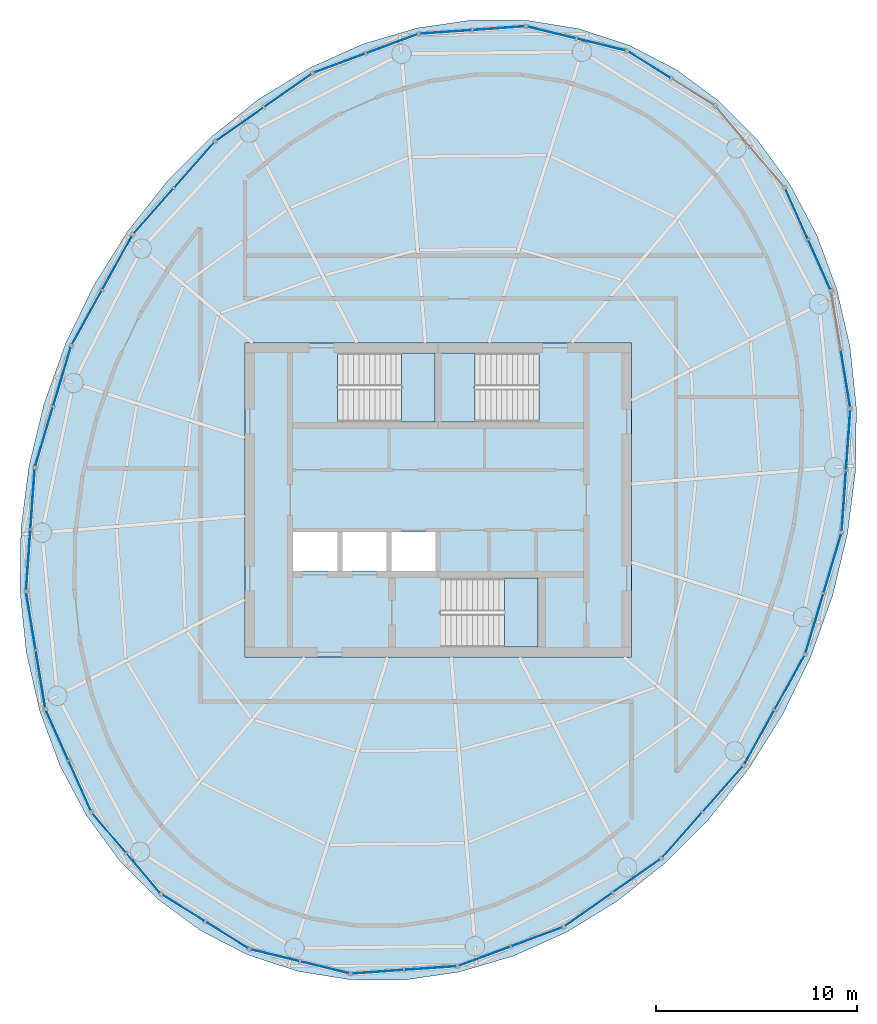
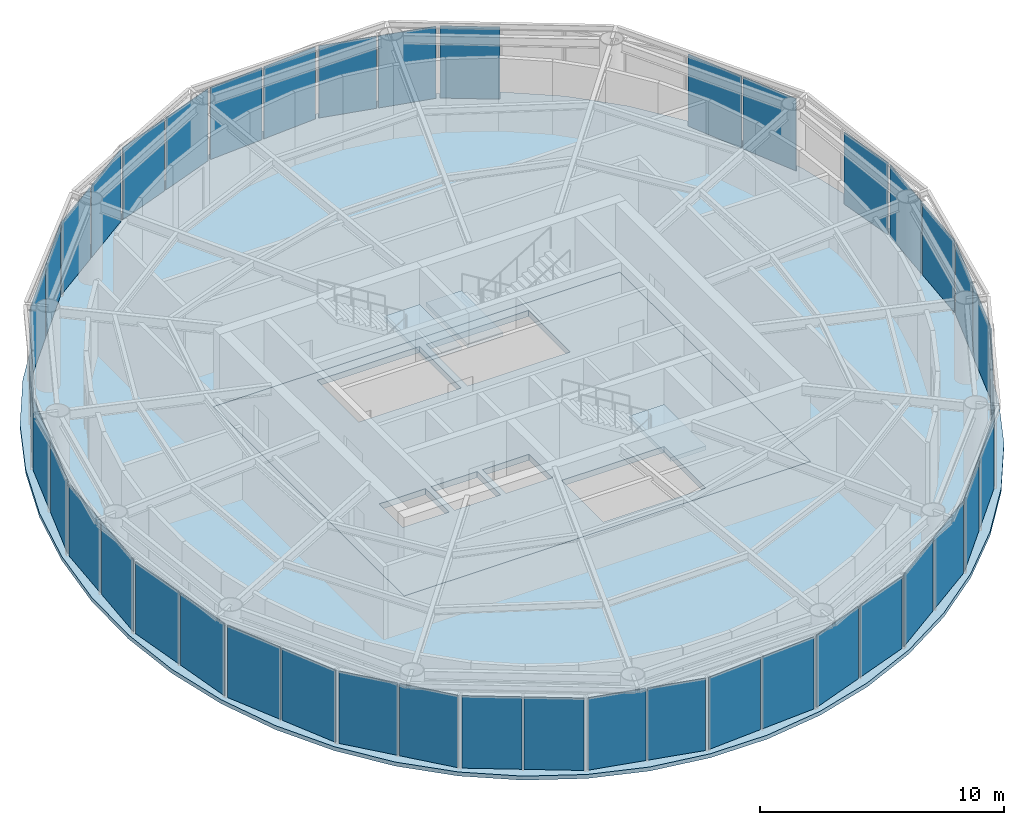
# One storey, part 7 of 11: 44 plates, 5 slabs, 26 elements without a shape of their own.
"""IFC4 building model written with IfcOpenShell, lengths in metres."""

import ifcopenshell
import ifcopenshell.guid

model = None  # the IFC model being written
_history = None  # IfcOwnerHistory: only IFC2X3 demands one
_inside = {}  # id of a spatial element -> (the spatial element, [elements in it])
_under = {}  # id of a project, library or spatial element -> (it, [spatial elements below it])
_declared = {}  # id of a project -> (the project, [libraries it declares])
_typed = {}  # id of a type object -> (the type object, [elements of that type])
_made_of = {}  # id of a material, layer set ... -> (it, [elements and type objects made of it])


def new_model(schema):
    """Start an empty IFC model of exactly this schema.

    Asked for "IFC4X3", IfcOpenShell would pick the latest addendum, in which some entities
    have other attributes; the version numbers below select the first issue.
    IFC2X3 requires an IfcOwnerHistory on every rooted entity: one is made here for all.
    """
    global model, _history
    if schema == "IFC4X3":
        model = ifcopenshell.file(schema_version=(4, 3, 0, 0))
    else:
        model = ifcopenshell.file(schema=schema)
    _inside.clear()
    _under.clear()
    _declared.clear()
    _typed.clear()
    _made_of.clear()
    _history = None
    if model.schema == "IFC2X3":
        org = make("IfcOrganization", Name="unknown")
        user = make(
            "IfcPersonAndOrganization",
            ThePerson=make("IfcPerson", FamilyName="unknown"),
            TheOrganization=org,
        )
        app = make(
            "IfcApplication",
            ApplicationDeveloper=org,
            Version="unknown",
            ApplicationFullName="unknown",
            ApplicationIdentifier="unknown",
        )
        _history = make(
            "IfcOwnerHistory",
            OwningUser=user,
            OwningApplication=app,
            ChangeAction="ADDED",
            CreationDate=0,
        )
    return model


def make(cls, **values):
    """One entity of the class cls with the attributes given. An attribute that is None is left unset."""
    return model.create_entity(
        cls, **{name: value for name, value in values.items() if value is not None}
    )


def rooted(cls, **values):
    """An entity with a GlobalId (a new one), such as an element, a storey or a relation."""
    return make(cls, GlobalId=ifcopenshell.guid.new(), OwnerHistory=_history, **values)


def si_unit(unit_type, name, prefix=None):
    """IfcSIUnit, for example si_unit("LENGTHUNIT", "METRE", prefix="MILLI")."""
    return make("IfcSIUnit", UnitType=unit_type, Prefix=prefix, Name=name)


def assignment(units):
    """IfcUnitAssignment: the units of a project."""
    return None if units is None else make("IfcUnitAssignment", Units=units)


def point(xyz):
    """IfcCartesianPoint."""
    return None if xyz is None else make("IfcCartesianPoint", Coordinates=xyz)


def direction(xyz):
    """IfcDirection."""
    return None if xyz is None else make("IfcDirection", DirectionRatios=xyz)


def frame(location, z_axis=None, x_axis=None):
    """IfcAxis2Placement3D, a coordinate frame: its origin and axes. An axis left out is left unset."""
    return make(
        "IfcAxis2Placement3D",
        Location=point(location),
        Axis=direction(z_axis),
        RefDirection=direction(x_axis),
    )


def frame_2d(location, x_axis=None):
    """IfcAxis2Placement2D, a coordinate frame in the plane: its origin and x axis."""
    return make(
        "IfcAxis2Placement2D", Location=point(location), RefDirection=direction(x_axis)
    )


def origin():
    """The frame at (0, 0, 0) with its axes left unset."""
    return frame((0.0, 0.0, 0.0))


def origin_2d():
    """The frame at (0, 0) in the plane with its x axis left unset."""
    return frame_2d((0.0, 0.0))


def place(relative_to, where):
    """IfcLocalPlacement: puts the frame where relative to a parent placement (None: the world)."""
    return make(
        "IfcLocalPlacement", PlacementRelTo=relative_to, RelativePlacement=where
    )


def context(
    kind, dimensions, precision=None, world=None, true_north=None, identifier=None
):
    """IfcGeometricRepresentationContext, for example the 3D "Model" context."""
    return make(
        "IfcGeometricRepresentationContext",
        ContextIdentifier=identifier,
        ContextType=kind,
        CoordinateSpaceDimension=dimensions,
        Precision=precision,
        WorldCoordinateSystem=world,
        TrueNorth=true_north,
    )


def subcontext(parent, identifier, kind, view, scale=None):
    """IfcGeometricRepresentationSubContext, for example "Body" below "Model"."""
    return make(
        "IfcGeometricRepresentationSubContext",
        ContextIdentifier=identifier,
        ContextType=kind,
        ParentContext=parent,
        TargetScale=scale,
        TargetView=view,
    )


def project(units=None, contexts=None):
    """IfcProject with its units and contexts."""
    return rooted(
        "IfcProject",
        Name="project",
        RepresentationContexts=contexts,
        UnitsInContext=assignment(units),
    )


def spatial(cls, under=None, at=None, **own):
    """A site, building, storey or space (cls), placed at a placement, below another one or the project."""
    s = rooted(cls, ObjectPlacement=at, **own)
    if under is not None:
        _under.setdefault(under.id(), (under, []))[1].append(s)
    return s


def polyline(points):
    """IfcPolyline through the points."""
    return make("IfcPolyline", Points=[point(p) for p in points])


def profile(cls, at=None, kind="AREA", **sizes):
    """A parametric profile (cls). Its sizes go by their IFC names, for example OverallWidth=200.0."""
    return make(cls, ProfileType=kind, Position=at, **sizes)


def rectangle(**sizes):
    """IfcRectangleProfileDef."""
    return profile("IfcRectangleProfileDef", **sizes)


def outline(outer, holes=None, kind="AREA"):
    """IfcArbitraryClosedProfileDef: a profile drawn as a closed curve; with holes, ...WithVoids."""
    if holes is None:
        return make("IfcArbitraryClosedProfileDef", ProfileType=kind, OuterCurve=outer)
    return make(
        "IfcArbitraryProfileDefWithVoids",
        ProfileType=kind,
        OuterCurve=outer,
        InnerCurves=holes,
    )


def extrude(swept, where, along, depth):
    """IfcExtrudedAreaSolid: the profile swept, set in the frame where, extruded along a direction by depth."""
    return make(
        "IfcExtrudedAreaSolid",
        SweptArea=swept,
        Position=where,
        ExtrudedDirection=direction(along),
        Depth=depth,
    )


def shape(context_of_items, identifier, shape_type, items):
    """IfcShapeRepresentation: the items that make up one representation, for example the "Body"."""
    return make(
        "IfcShapeRepresentation",
        ContextOfItems=context_of_items,
        RepresentationIdentifier=identifier,
        RepresentationType=shape_type,
        Items=items,
    )


def material(Name=None, Category=None):
    """IfcMaterial."""
    return make("IfcMaterial", Name=Name, Category=Category)


def layer(
    of_material, thickness, ventilated=None, Name=None, Category=None, Priority=None
):
    """IfcMaterialLayer: one layer of a wall or slab, of a material (None: an air gap)."""
    return make(
        "IfcMaterialLayer",
        Material=of_material,
        LayerThickness=thickness,
        IsVentilated=ventilated,
        Name=Name,
        Category=Category,
        Priority=Priority,
    )


def layer_set(layers, Name=None):
    """IfcMaterialLayerSet."""
    return make("IfcMaterialLayerSet", MaterialLayers=layers, LayerSetName=Name)


def made_of(thing, what):
    """Note that an element or type object is made of a material, layer set ...; save() writes the relation."""
    if what is not None:
        _made_of.setdefault(what.id(), (what, []))[1].append(thing)
    return thing


def type_object(cls, material=None, **own):
    """A type object (cls), such as IfcWallType, which elements share."""
    return made_of(rooted(cls, **own), material)


def element(
    cls,
    number,
    at=None,
    inside=None,
    cuts=None,
    type_object=None,
    material=None,
    context=None,
    identifier="Body",
    shape_type=None,
    held_by="IfcProductDefinitionShape",
    body=None,
    shapes=None,
    **own,
):
    """One element of the class cls, such as IfcWall. Its Tag is "e" and its number.

    at: its placement. inside: the storey or other place that contains it. cuts: it is an
    opening in that element (IfcRelVoidsElement). A single representation is given by context,
    identifier, shape_type and body (its items); several are given by shapes. held_by: the class
    of the entity that holds the representations. save() writes the other relations.
    """
    e = rooted(cls, Tag="e%d" % number, ObjectPlacement=at, **own)
    if body is not None:
        shapes = [shape(context, identifier, shape_type, body)]
    if shapes is not None:
        e.Representation = make(held_by, Representations=shapes)
    if inside is not None:
        _inside.setdefault(inside.id(), (inside, []))[1].append(e)
    if cuts is not None:
        rooted(
            "IfcRelVoidsElement", RelatingBuildingElement=cuts, RelatedOpeningElement=e
        )
    if type_object is not None:
        _typed.setdefault(type_object.id(), (type_object, []))[1].append(e)
    return made_of(e, material)


def aggregate(whole, parts):
    """IfcRelAggregates: a whole, such as a stair, and the parts it consists of."""
    return rooted("IfcRelAggregates", RelatingObject=whole, RelatedObjects=parts)


def save(model, path):
    """Write the relations noted so far, then the file.

    IfcRelAggregates (storeys below a building ...), IfcRelContainedInSpatialStructure (elements
    in a storey), IfcRelDefinesByType, IfcRelAssociatesMaterial and IfcRelDeclares: one each for
    every whole, place, type object, material and project.
    """
    for whole, parts in _under.values():
        aggregate(whole, parts)
    for where, things in _inside.values():
        rooted(
            "IfcRelContainedInSpatialStructure",
            RelatedElements=things,
            RelatingStructure=where,
        )
    for kind, things in _typed.values():
        rooted("IfcRelDefinesByType", RelatedObjects=things, RelatingType=kind)
    for what, things in _made_of.values():
        rooted("IfcRelAssociatesMaterial", RelatedObjects=things, RelatingMaterial=what)
    for by, libraries in _declared.values():
        rooted("IfcRelDeclares", RelatingContext=by, RelatedDefinitions=libraries)
    model.write(path)


model = new_model("IFC4")

# Units and contexts
model_context = context("Model", 3, precision=1e-05, world=origin(), true_north=direction((0.0, 1.0)))
body_context = subcontext(model_context, "Body", "Model", "MODEL_VIEW")
ifc_project = project(units=[si_unit("LENGTHUNIT", "METRE"), si_unit("AREAUNIT", "SQUARE_METRE"), si_unit("VOLUMEUNIT", "CUBIC_METRE"), si_unit("PLANEANGLEUNIT", "RADIAN"), si_unit("MASSUNIT", "GRAM", prefix="KILO")], contexts=[model_context])

# Site, building, storey
site_placement = place(None, origin())
site = spatial("IfcSite", under=ifc_project, at=site_placement, CompositionType="ELEMENT")
building_placement = place(site_placement, origin())
building = spatial("IfcBuilding", under=site, at=building_placement, Name="Vermilion Reach Broadcast Tower", CompositionType="ELEMENT")
storey_placement = place(building_placement, frame((0.0, 0.0, 321.300048828125)))
storey = spatial("IfcBuildingStorey", under=building, at=storey_placement, Name="L80 CROWN", CompositionType="ELEMENT", Elevation=321.300048828125)

# Slab
ifc_material_1 = material(Name="Concrete C40", Category="concrete")
ifc_layer_1 = layer(ifc_material_1, 0.300048828125)
ifc_layer_set_1 = layer_set([ifc_layer_1], Name="Core floor slab 300 mm Concrete C40")
slab_type_1 = type_object("IfcSlabType", Name="Core floor slab 300 mm Concrete C40", PredefinedType="FLOOR", material=ifc_layer_set_1)
slab_1_placement = place(storey_placement, frame((0.0, 0.0, -0.300048828125)))
element("IfcSlab", 1, at=slab_1_placement, inside=storey, type_object=slab_type_1, Name="L80 CROWN core floor", PredefinedType="FLOOR", context=body_context, shape_type="SweptSolid", body=[
    extrude(outline(polyline([(-15.60009765625, -7.800048828125), (3.60009765625, -7.800048828125), (3.60009765625, 7.800048828125), (-15.60009765625, 7.800048828125), (-15.60009765625, -7.800048828125)]), holes=[polyline([(-13.199951171875, -3.530029296875), (-11.00830078125, -3.530029296875), (-11.00830078125, -1.60009765625), (-13.199951171875, -1.60009765625), (-13.199951171875, -3.530029296875)]), polyline([(-10.75830078125, -3.530029296875), (-8.566650390625, -3.530029296875), (-8.566650390625, -1.60009765625), (-10.75830078125, -1.60009765625), (-10.75830078125, -3.530029296875)]), polyline([(-8.316650390625, -3.530029296875), (-6.125, -3.530029296875), (-6.125, -1.60009765625), (-8.316650390625, -1.60009765625), (-8.316650390625, -3.530029296875)]), polyline([(-10.999267578125, 3.8798828125), (-6.14990234375, 3.8798828125), (-6.14990234375, 7.300048828125), (-10.999267578125, 7.300048828125), (-10.999267578125, 3.8798828125)]), polyline([(-1.000732421875, 7.300048828125), (-5.85009765625, 7.300048828125), (-5.85009765625, 3.8798828125), (-1.000732421875, 3.8798828125), (-1.000732421875, 7.300048828125)]), polyline([(-5.8994140625, -7.300048828125), (-1.050048828125, -7.300048828125), (-1.050048828125, -3.8798828125), (-5.8994140625, -3.8798828125), (-5.8994140625, -7.300048828125)])]), origin(), (0.0, 0.0, 1.0), 0.300048828125),
])

# Curtain wall, plates
ifc_material_2 = material(Name="Low-e laminated clear glass in aluminium frame", Category="aluminium")
curtain_wall_type = type_object("IfcCurtainWallType", Name="Crown glazing curtain wall", PredefinedType="NOTDEFINED", material=ifc_material_2)
placement_1 = place(storey_placement, origin())
curtain_wall_1 = element("IfcCurtainWall", 2, at=placement_1, inside=storey, type_object=curtain_wall_type, Name="Crown glazing L80 CROWN 01", PredefinedType="NOTDEFINED")
ifc_material_3 = material(Name="Low-e laminated clear glass", Category="glass")
ifc_layer_2 = layer(ifc_material_3, 0.031982421875)
ifc_layer_set_2 = layer_set([ifc_layer_2], Name="Crown glazing glass panel")
plate_type = type_object("IfcPlateType", Name="Crown glazing glass panel", PredefinedType="CURTAIN_PANEL", material=ifc_layer_set_2)
plate_1_placement = place(storey_placement, frame((2.09619140625, 22.6005859375, 0.0), z_axis=(0.0, 0.0, 1.0), x_axis=(-0.971666912045, 0.236354420386, 0.0)))
plate_1 = element("IfcPlate", 3, at=plate_1_placement, type_object=plate_type, Name="Crown glazing glass panel L80 CROWN 01.1.1", PredefinedType="CURTAIN_PANEL", context=body_context, shape_type="SweptSolid", body=[
    extrude(rectangle(XDim=2.462158203125, YDim=0.031982421875, at=origin_2d()), origin(), (0.0, 0.0, 1.0), 3.60009765625),
])
plate_2_placement = place(storey_placement, frame((-0.373779296875, 23.201416015625, 0.0), z_axis=(0.0, 0.0, 1.0), x_axis=(-0.971666912045, 0.236354420386, 0.0)))
plate_2 = element("IfcPlate", 4, at=plate_2_placement, type_object=plate_type, Name="Crown glazing glass panel L80 CROWN 01.2.1", PredefinedType="CURTAIN_PANEL", context=body_context, shape_type="SweptSolid", body=[
    extrude(rectangle(XDim=2.462158203125, YDim=0.031982421875, at=origin_2d()), origin(), (0.0, 0.0, 1.0), 3.60009765625),
])
aggregate(curtain_wall_1, [plate_1, plate_2])

curtain_wall_2 = element("IfcCurtainWall", 5, at=placement_1, inside=storey, type_object=curtain_wall_type, Name="Crown glazing L80 CROWN 02", PredefinedType="NOTDEFINED")
plate_3_placement = place(storey_placement, frame((-2.997314453125, 23.416259765625, 0.0), z_axis=(0.0, 0.0, 1.0), x_axis=(-0.997541217224, -0.070082236977, 0.0)))
plate_3 = element("IfcPlate", 6, at=plate_3_placement, type_object=plate_type, Name="Crown glazing glass panel L80 CROWN 02.1.1", PredefinedType="CURTAIN_PANEL", context=body_context, shape_type="SweptSolid", body=[
    extrude(rectangle(XDim=2.546142578125, YDim=0.031982421875, at=origin_2d()), origin(), (0.0, 0.0, 1.0), 3.60009765625),
])
plate_4_placement = place(storey_placement, frame((-5.616943359375, 23.232421875, 0.0), z_axis=(0.0, 0.0, 1.0), x_axis=(-0.997541217224, -0.070082236977, 0.0)))
plate_4 = element("IfcPlate", 7, at=plate_4_placement, type_object=plate_type, Name="Crown glazing glass panel L80 CROWN 02.2.1", PredefinedType="CURTAIN_PANEL", context=body_context, shape_type="SweptSolid", body=[
    extrude(rectangle(XDim=2.546142578125, YDim=0.031982421875, at=origin_2d()), origin(), (0.0, 0.0, 1.0), 3.60009765625),
])
aggregate(curtain_wall_2, [plate_3, plate_4])

curtain_wall_3 = element("IfcCurtainWall", 8, at=placement_1, inside=storey, type_object=curtain_wall_type, Name="Crown glazing L80 CROWN 03", PredefinedType="NOTDEFINED")
plate_5_placement = place(storey_placement, frame((-8.30078125, 22.6435546875, 0.0), z_axis=(0.0, 0.0, 1.0), x_axis=(-0.93775740745, -0.347291008771, 0.0)))
plate_5 = element("IfcPlate", 9, at=plate_5_placement, type_object=plate_type, Name="Crown glazing glass panel L80 CROWN 03.1.1", PredefinedType="CURTAIN_PANEL", context=body_context, shape_type="SweptSolid", body=[
    extrude(rectangle(XDim=2.685302734375, YDim=0.031982421875, at=origin_2d()), origin(), (0.0, 0.0, 1.0), 3.60009765625),
])
plate_6_placement = place(storey_placement, frame((-10.89404296875, 21.68310546875, 0.0), z_axis=(0.0, 0.0, 1.0), x_axis=(-0.93775740745, -0.347291008771, 0.0)))
plate_6 = element("IfcPlate", 10, at=plate_6_placement, type_object=plate_type, Name="Crown glazing glass panel L80 CROWN 03.2.1", PredefinedType="CURTAIN_PANEL", context=body_context, shape_type="SweptSolid", body=[
    extrude(rectangle(XDim=2.685302734375, YDim=0.031982421875, at=origin_2d()), origin(), (0.0, 0.0, 1.0), 3.60009765625),
])
aggregate(curtain_wall_3, [plate_5, plate_6])

curtain_wall_4 = element("IfcCurtainWall", 11, at=placement_1, inside=storey, type_object=curtain_wall_type, Name="Crown glazing L80 CROWN 04", PredefinedType="NOTDEFINED")
plate_7_placement = place(storey_placement, frame((-13.455322265625, 20.328369140625, 0.0), z_axis=(0.0, 0.0, 1.0), x_axis=(-0.818740335317, -0.574163969023, 0.0)))
plate_7 = element("IfcPlate", 12, at=plate_7_placement, type_object=plate_type, Name="Crown glazing glass panel L80 CROWN 04.1.1", PredefinedType="CURTAIN_PANEL", context=body_context, shape_type="SweptSolid", body=[
    extrude(rectangle(XDim=2.837890625, YDim=0.031982421875, at=origin_2d()), origin(), (0.0, 0.0, 1.0), 3.60009765625),
])
plate_8_placement = place(storey_placement, frame((-15.84423828125, 18.653076171875, 0.0), z_axis=(0.0, 0.0, 1.0), x_axis=(-0.818740335317, -0.574163969023, 0.0)))
plate_8 = element("IfcPlate", 13, at=plate_8_placement, type_object=plate_type, Name="Crown glazing glass panel L80 CROWN 04.2.1", PredefinedType="CURTAIN_PANEL", context=body_context, shape_type="SweptSolid", body=[
    extrude(rectangle(XDim=2.837890625, YDim=0.031982421875, at=origin_2d()), origin(), (0.0, 0.0, 1.0), 3.60009765625),
])
aggregate(curtain_wall_4, [plate_7, plate_8])

curtain_wall_5 = element("IfcCurtainWall", 14, at=placement_1, inside=storey, type_object=curtain_wall_type, Name="Crown glazing L80 CROWN 05", PredefinedType="NOTDEFINED")
plate_9_placement = place(storey_placement, frame((-18.107421875, 16.62353515625, 0.0), z_axis=(0.0, 0.0, 1.0), x_axis=(-0.663238976934, -0.748407682668, 0.0)))
plate_9 = element("IfcPlate", 15, at=plate_9_placement, type_object=plate_type, Name="Crown glazing glass panel L80 CROWN 05.1.1", PredefinedType="CURTAIN_PANEL", context=body_context, shape_type="SweptSolid", body=[
    extrude(rectangle(XDim=2.963623046875, YDim=0.031982421875, at=origin_2d()), origin(), (0.0, 0.0, 1.0), 3.60009765625),
])
plate_10_placement = place(storey_placement, frame((-20.126220703125, 14.345458984375, 0.0), z_axis=(0.0, 0.0, 1.0), x_axis=(-0.663238976934, -0.748407682668, 0.0)))
plate_10 = element("IfcPlate", 16, at=plate_10_placement, type_object=plate_type, Name="Crown glazing glass panel L80 CROWN 05.2.1", PredefinedType="CURTAIN_PANEL", context=body_context, shape_type="SweptSolid", body=[
    extrude(rectangle(XDim=2.963623046875, YDim=0.031982421875, at=origin_2d()), origin(), (0.0, 0.0, 1.0), 3.60009765625),
])
aggregate(curtain_wall_5, [plate_9, plate_10])

curtain_wall_6 = element("IfcCurtainWall", 17, at=placement_1, inside=storey, type_object=curtain_wall_type, Name="Crown glazing L80 CROWN 06", PredefinedType="NOTDEFINED")
plate_11_placement = place(storey_placement, frame((-21.935302734375, 11.779296875, 0.0), z_axis=(0.0, 0.0, 1.0), x_axis=(-0.484153280738, -0.874983200268, 0.0)))
plate_11 = element("IfcPlate", 18, at=plate_11_placement, type_object=plate_type, Name="Crown glazing glass panel L80 CROWN 06.1.1", PredefinedType="CURTAIN_PANEL", context=body_context, shape_type="SweptSolid", body=[
    extrude(rectangle(XDim=3.033935546875, YDim=0.031982421875, at=origin_2d()), origin(), (0.0, 0.0, 1.0), 3.60009765625),
])
plate_12_placement = place(storey_placement, frame((-23.44287109375, 9.0546875, 0.0), z_axis=(0.0, 0.0, 1.0), x_axis=(-0.484153280738, -0.874983200268, 0.0)))
plate_12 = element("IfcPlate", 19, at=plate_12_placement, type_object=plate_type, Name="Crown glazing glass panel L80 CROWN 06.2.1", PredefinedType="CURTAIN_PANEL", context=body_context, shape_type="SweptSolid", body=[
    extrude(rectangle(XDim=3.033935546875, YDim=0.031982421875, at=origin_2d()), origin(), (0.0, 0.0, 1.0), 3.60009765625),
])
aggregate(curtain_wall_6, [plate_11, plate_12])

curtain_wall_7 = element("IfcCurtainWall", 20, at=placement_1, inside=storey, type_object=curtain_wall_type, Name="Crown glazing L80 CROWN 07", PredefinedType="NOTDEFINED")
plate_13_placement = place(storey_placement, frame((-24.67333984375, 6.127197265625, 0.0), z_axis=(0.0, 0.0, 1.0), x_axis=(-0.286407356394, -0.958107940789, 0.0)))
plate_13 = element("IfcPlate", 21, at=plate_13_placement, type_object=plate_type, Name="Crown glazing glass panel L80 CROWN 07.1.1", PredefinedType="CURTAIN_PANEL", context=body_context, shape_type="SweptSolid", body=[
    extrude(rectangle(XDim=3.033935546875, YDim=0.031982421875, at=origin_2d()), origin(), (0.0, 0.0, 1.0), 3.60009765625),
])
plate_14_placement = place(storey_placement, frame((-25.565185546875, 3.143798828125, 0.0), z_axis=(0.0, 0.0, 1.0), x_axis=(-0.286407356394, -0.958107940789, 0.0)))
plate_14 = element("IfcPlate", 22, at=plate_14_placement, type_object=plate_type, Name="Crown glazing glass panel L80 CROWN 07.2.1", PredefinedType="CURTAIN_PANEL", context=body_context, shape_type="SweptSolid", body=[
    extrude(rectangle(XDim=3.033935546875, YDim=0.031982421875, at=origin_2d()), origin(), (0.0, 0.0, 1.0), 3.60009765625),
])
aggregate(curtain_wall_7, [plate_13, plate_14])

curtain_wall_8 = element("IfcCurtainWall", 23, at=placement_1, inside=storey, type_object=curtain_wall_type, Name="Crown glazing L80 CROWN 08", PredefinedType="NOTDEFINED")
plate_15_placement = place(storey_placement, frame((-26.133056640625, 0.0556640625, 0.0), z_axis=(0.0, 0.0, 1.0), x_axis=(-0.070672712769, -0.997499557729, 0.0)))
plate_15 = element("IfcPlate", 24, at=plate_15_placement, type_object=plate_type, Name="Crown glazing glass panel L80 CROWN 08.1.1", PredefinedType="CURTAIN_PANEL", context=body_context, shape_type="SweptSolid", body=[
    extrude(rectangle(XDim=2.963623046875, YDim=0.031982421875, at=origin_2d()), origin(), (0.0, 0.0, 1.0), 3.60009765625),
])
plate_16_placement = place(storey_placement, frame((-26.34814453125, -2.98046875, 0.0), z_axis=(0.0, 0.0, 1.0), x_axis=(-0.070672712769, -0.997499557729, 0.0)))
plate_16 = element("IfcPlate", 25, at=plate_16_placement, type_object=plate_type, Name="Crown glazing glass panel L80 CROWN 08.2.1", PredefinedType="CURTAIN_PANEL", context=body_context, shape_type="SweptSolid", body=[
    extrude(rectangle(XDim=2.963623046875, YDim=0.031982421875, at=origin_2d()), origin(), (0.0, 0.0, 1.0), 3.60009765625),
])
aggregate(curtain_wall_8, [plate_15, plate_16])

curtain_wall_9 = element("IfcCurtainWall", 26, at=placement_1, inside=storey, type_object=curtain_wall_type, Name="Crown glazing L80 CROWN 09", PredefinedType="NOTDEFINED")
plate_17_placement = place(storey_placement, frame((-26.21484375, -6.017333984375, 0.0), z_axis=(0.0, 0.0, 1.0), x_axis=(0.162618011697, -0.986689101121, 0.0)))
plate_17 = element("IfcPlate", 27, at=plate_17_placement, type_object=plate_type, Name="Crown glazing glass panel L80 CROWN 09.1.1", PredefinedType="CURTAIN_PANEL", context=body_context, shape_type="SweptSolid", body=[
    extrude(rectangle(XDim=2.837890625, YDim=0.031982421875, at=origin_2d()), origin(), (0.0, 0.0, 1.0), 3.60009765625),
])
plate_18_placement = place(storey_placement, frame((-25.740234375, -8.896240234375, 0.0), z_axis=(0.0, 0.0, 1.0), x_axis=(0.162618011697, -0.986689101121, 0.0)))
plate_18 = element("IfcPlate", 28, at=plate_18_placement, type_object=plate_type, Name="Crown glazing glass panel L80 CROWN 09.2.1", PredefinedType="CURTAIN_PANEL", context=body_context, shape_type="SweptSolid", body=[
    extrude(rectangle(XDim=2.837890625, YDim=0.031982421875, at=origin_2d()), origin(), (0.0, 0.0, 1.0), 3.60009765625),
])
aggregate(curtain_wall_9, [plate_17, plate_18])

curtain_wall_10 = element("IfcCurtainWall", 29, at=placement_1, inside=storey, type_object=curtain_wall_type, Name="Crown glazing L80 CROWN 10", PredefinedType="NOTDEFINED")
plate_19_placement = place(storey_placement, frame((-24.916015625, -11.67431640625, 0.0), z_axis=(0.0, 0.0, 1.0), x_axis=(0.407984607158, -0.912988806241, 0.0)))
plate_19 = element("IfcPlate", 30, at=plate_19_placement, type_object=plate_type, Name="Crown glazing glass panel L80 CROWN 10.1.1", PredefinedType="CURTAIN_PANEL", context=body_context, shape_type="SweptSolid", body=[
    extrude(rectangle(XDim=2.685302734375, YDim=0.031982421875, at=origin_2d()), origin(), (0.0, 0.0, 1.0), 3.60009765625),
])
plate_20_placement = place(storey_placement, frame((-23.787841796875, -14.198974609375, 0.0), z_axis=(0.0, 0.0, 1.0), x_axis=(0.407984607158, -0.912988806241, 0.0)))
plate_20 = element("IfcPlate", 31, at=plate_20_placement, type_object=plate_type, Name="Crown glazing glass panel L80 CROWN 10.2.1", PredefinedType="CURTAIN_PANEL", context=body_context, shape_type="SweptSolid", body=[
    extrude(rectangle(XDim=2.685302734375, YDim=0.031982421875, at=origin_2d()), origin(), (0.0, 0.0, 1.0), 3.60009765625),
])
aggregate(curtain_wall_10, [plate_19, plate_20])

curtain_wall_11 = element("IfcCurtainWall", 32, at=placement_1, inside=storey, type_object=curtain_wall_type, Name="Crown glazing L80 CROWN 11", PredefinedType="NOTDEFINED")
plate_21_placement = place(storey_placement, frame((-22.330810546875, -16.528564453125, 0.0), z_axis=(0.0, 0.0, 1.0), x_axis=(0.647871252038, -0.761749854468, 0.0)))
plate_21 = element("IfcPlate", 33, at=plate_21_placement, type_object=plate_type, Name="Crown glazing glass panel L80 CROWN 11.1.1", PredefinedType="CURTAIN_PANEL", context=body_context, shape_type="SweptSolid", body=[
    extrude(rectangle(XDim=2.546142578125, YDim=0.031982421875, at=origin_2d()), origin(), (0.0, 0.0, 1.0), 3.60009765625),
])
plate_22_placement = place(storey_placement, frame((-20.62939453125, -18.52880859375, 0.0), z_axis=(0.0, 0.0, 1.0), x_axis=(0.647871252038, -0.761749854468, 0.0)))
plate_22 = element("IfcPlate", 34, at=plate_22_placement, type_object=plate_type, Name="Crown glazing glass panel L80 CROWN 11.2.1", PredefinedType="CURTAIN_PANEL", context=body_context, shape_type="SweptSolid", body=[
    extrude(rectangle(XDim=2.546142578125, YDim=0.031982421875, at=origin_2d()), origin(), (0.0, 0.0, 1.0), 3.60009765625),
])
aggregate(curtain_wall_11, [plate_21, plate_22])

curtain_wall_12 = element("IfcCurtainWall", 35, at=placement_1, inside=storey, type_object=curtain_wall_type, Name="Crown glazing L80 CROWN 12", PredefinedType="NOTDEFINED")
plate_23_placement = place(storey_placement, frame((-18.64013671875, -20.2529296875, 0.0), z_axis=(0.0, 0.0, 1.0), x_axis=(0.848708437827, -0.52886102859, 0.0)))
plate_23 = element("IfcPlate", 36, at=plate_23_placement, type_object=plate_type, Name="Crown glazing glass panel L80 CROWN 12.1.1", PredefinedType="CURTAIN_PANEL", context=body_context, shape_type="SweptSolid", body=[
    extrude(rectangle(XDim=2.462158203125, YDim=0.031982421875, at=origin_2d()), origin(), (0.0, 0.0, 1.0), 3.60009765625),
])
plate_24_placement = place(storey_placement, frame((-16.48291015625, -21.597412109375, 0.0), z_axis=(0.0, 0.0, 1.0), x_axis=(0.848708437827, -0.52886102859, 0.0)))
plate_24 = element("IfcPlate", 37, at=plate_24_placement, type_object=plate_type, Name="Crown glazing glass panel L80 CROWN 12.2.1", PredefinedType="CURTAIN_PANEL", context=body_context, shape_type="SweptSolid", body=[
    extrude(rectangle(XDim=2.462158203125, YDim=0.031982421875, at=origin_2d()), origin(), (0.0, 0.0, 1.0), 3.60009765625),
])
aggregate(curtain_wall_12, [plate_23, plate_24])

curtain_wall_13 = element("IfcCurtainWall", 38, at=placement_1, inside=storey, type_object=curtain_wall_type, Name="Crown glazing L80 CROWN 13", PredefinedType="NOTDEFINED")
plate_25_placement = place(storey_placement, frame((-14.09619140625, -22.6005859375, 0.0), z_axis=(0.0, 0.0, 1.0), x_axis=(0.971666912045, -0.236354420386, 0.0)))
plate_25 = element("IfcPlate", 39, at=plate_25_placement, type_object=plate_type, Name="Crown glazing glass panel L80 CROWN 13.1.1", PredefinedType="CURTAIN_PANEL", context=body_context, shape_type="SweptSolid", body=[
    extrude(rectangle(XDim=2.462158203125, YDim=0.031982421875, at=origin_2d()), origin(), (0.0, 0.0, 1.0), 3.60009765625),
])
plate_26_placement = place(storey_placement, frame((-11.626220703125, -23.201416015625, 0.0), z_axis=(0.0, 0.0, 1.0), x_axis=(0.971666912045, -0.236354420386, 0.0)))
plate_26 = element("IfcPlate", 40, at=plate_26_placement, type_object=plate_type, Name="Crown glazing glass panel L80 CROWN 13.2.1", PredefinedType="CURTAIN_PANEL", context=body_context, shape_type="SweptSolid", body=[
    extrude(rectangle(XDim=2.462158203125, YDim=0.031982421875, at=origin_2d()), origin(), (0.0, 0.0, 1.0), 3.60009765625),
])
aggregate(curtain_wall_13, [plate_25, plate_26])

curtain_wall_14 = element("IfcCurtainWall", 41, at=placement_1, inside=storey, type_object=curtain_wall_type, Name="Crown glazing L80 CROWN 14", PredefinedType="NOTDEFINED")
plate_27_placement = place(storey_placement, frame((-9.002685546875, -23.416259765625, 0.0), z_axis=(0.0, 0.0, 1.0), x_axis=(0.997541217224, 0.070082236977, 0.0)))
plate_27 = element("IfcPlate", 42, at=plate_27_placement, type_object=plate_type, Name="Crown glazing glass panel L80 CROWN 14.1.1", PredefinedType="CURTAIN_PANEL", context=body_context, shape_type="SweptSolid", body=[
    extrude(rectangle(XDim=2.546142578125, YDim=0.031982421875, at=origin_2d()), origin(), (0.0, 0.0, 1.0), 3.60009765625),
])
plate_28_placement = place(storey_placement, frame((-6.383056640625, -23.232421875, 0.0), z_axis=(0.0, 0.0, 1.0), x_axis=(0.997541217224, 0.070082236977, 0.0)))
plate_28 = element("IfcPlate", 43, at=plate_28_placement, type_object=plate_type, Name="Crown glazing glass panel L80 CROWN 14.2.1", PredefinedType="CURTAIN_PANEL", context=body_context, shape_type="SweptSolid", body=[
    extrude(rectangle(XDim=2.546142578125, YDim=0.031982421875, at=origin_2d()), origin(), (0.0, 0.0, 1.0), 3.60009765625),
])
aggregate(curtain_wall_14, [plate_27, plate_28])

curtain_wall_15 = element("IfcCurtainWall", 44, at=placement_1, inside=storey, type_object=curtain_wall_type, Name="Crown glazing L80 CROWN 15", PredefinedType="NOTDEFINED")
plate_29_placement = place(storey_placement, frame((-3.69921875, -22.6435546875, 0.0), z_axis=(0.0, 0.0, 1.0), x_axis=(0.93775740745, 0.347291008771, 0.0)))
plate_29 = element("IfcPlate", 45, at=plate_29_placement, type_object=plate_type, Name="Crown glazing glass panel L80 CROWN 15.1.1", PredefinedType="CURTAIN_PANEL", context=body_context, shape_type="SweptSolid", body=[
    extrude(rectangle(XDim=2.685302734375, YDim=0.031982421875, at=origin_2d()), origin(), (0.0, 0.0, 1.0), 3.60009765625),
])
plate_30_placement = place(storey_placement, frame((-1.10595703125, -21.68310546875, 0.0), z_axis=(0.0, 0.0, 1.0), x_axis=(0.93775740745, 0.347291008771, 0.0)))
plate_30 = element("IfcPlate", 46, at=plate_30_placement, type_object=plate_type, Name="Crown glazing glass panel L80 CROWN 15.2.1", PredefinedType="CURTAIN_PANEL", context=body_context, shape_type="SweptSolid", body=[
    extrude(rectangle(XDim=2.685302734375, YDim=0.031982421875, at=origin_2d()), origin(), (0.0, 0.0, 1.0), 3.60009765625),
])
aggregate(curtain_wall_15, [plate_29, plate_30])

curtain_wall_16 = element("IfcCurtainWall", 47, at=placement_1, inside=storey, type_object=curtain_wall_type, Name="Crown glazing L80 CROWN 16", PredefinedType="NOTDEFINED")
plate_31_placement = place(storey_placement, frame((1.455322265625, -20.328369140625, 0.0), z_axis=(0.0, 0.0, 1.0), x_axis=(0.818740335317, 0.574163969023, 0.0)))
plate_31 = element("IfcPlate", 48, at=plate_31_placement, type_object=plate_type, Name="Crown glazing glass panel L80 CROWN 16.1.1", PredefinedType="CURTAIN_PANEL", context=body_context, shape_type="SweptSolid", body=[
    extrude(rectangle(XDim=2.837890625, YDim=0.031982421875, at=origin_2d()), origin(), (0.0, 0.0, 1.0), 3.60009765625),
])
plate_32_placement = place(storey_placement, frame((3.84423828125, -18.653076171875, 0.0), z_axis=(0.0, 0.0, 1.0), x_axis=(0.818740335317, 0.574163969023, 0.0)))
plate_32 = element("IfcPlate", 49, at=plate_32_placement, type_object=plate_type, Name="Crown glazing glass panel L80 CROWN 16.2.1", PredefinedType="CURTAIN_PANEL", context=body_context, shape_type="SweptSolid", body=[
    extrude(rectangle(XDim=2.837890625, YDim=0.031982421875, at=origin_2d()), origin(), (0.0, 0.0, 1.0), 3.60009765625),
])
aggregate(curtain_wall_16, [plate_31, plate_32])

curtain_wall_17 = element("IfcCurtainWall", 50, at=placement_1, inside=storey, type_object=curtain_wall_type, Name="Crown glazing L80 CROWN 17", PredefinedType="NOTDEFINED")
plate_33_placement = place(storey_placement, frame((6.107421875, -16.62353515625, 0.0), z_axis=(0.0, 0.0, 1.0), x_axis=(0.663238976934, 0.748407682668, 0.0)))
plate_33 = element("IfcPlate", 51, at=plate_33_placement, type_object=plate_type, Name="Crown glazing glass panel L80 CROWN 17.1.1", PredefinedType="CURTAIN_PANEL", context=body_context, shape_type="SweptSolid", body=[
    extrude(rectangle(XDim=2.963623046875, YDim=0.031982421875, at=origin_2d()), origin(), (0.0, 0.0, 1.0), 3.60009765625),
])
plate_34_placement = place(storey_placement, frame((8.126220703125, -14.345458984375, 0.0), z_axis=(0.0, 0.0, 1.0), x_axis=(0.663238976934, 0.748407682668, 0.0)))
plate_34 = element("IfcPlate", 52, at=plate_34_placement, type_object=plate_type, Name="Crown glazing glass panel L80 CROWN 17.2.1", PredefinedType="CURTAIN_PANEL", context=body_context, shape_type="SweptSolid", body=[
    extrude(rectangle(XDim=2.963623046875, YDim=0.031982421875, at=origin_2d()), origin(), (0.0, 0.0, 1.0), 3.60009765625),
])
aggregate(curtain_wall_17, [plate_33, plate_34])

curtain_wall_18 = element("IfcCurtainWall", 53, at=placement_1, inside=storey, type_object=curtain_wall_type, Name="Crown glazing L80 CROWN 18", PredefinedType="NOTDEFINED")
plate_35_placement = place(storey_placement, frame((9.935302734375, -11.779296875, 0.0), z_axis=(0.0, 0.0, 1.0), x_axis=(0.484153280738, 0.874983200268, 0.0)))
plate_35 = element("IfcPlate", 54, at=plate_35_placement, type_object=plate_type, Name="Crown glazing glass panel L80 CROWN 18.1.1", PredefinedType="CURTAIN_PANEL", context=body_context, shape_type="SweptSolid", body=[
    extrude(rectangle(XDim=3.033935546875, YDim=0.031982421875, at=origin_2d()), origin(), (0.0, 0.0, 1.0), 3.60009765625),
])
plate_36_placement = place(storey_placement, frame((11.44287109375, -9.0546875, 0.0), z_axis=(0.0, 0.0, 1.0), x_axis=(0.484153280738, 0.874983200268, 0.0)))
plate_36 = element("IfcPlate", 55, at=plate_36_placement, type_object=plate_type, Name="Crown glazing glass panel L80 CROWN 18.2.1", PredefinedType="CURTAIN_PANEL", context=body_context, shape_type="SweptSolid", body=[
    extrude(rectangle(XDim=3.033935546875, YDim=0.031982421875, at=origin_2d()), origin(), (0.0, 0.0, 1.0), 3.60009765625),
])
aggregate(curtain_wall_18, [plate_35, plate_36])

curtain_wall_19 = element("IfcCurtainWall", 56, at=placement_1, inside=storey, type_object=curtain_wall_type, Name="Crown glazing L80 CROWN 19", PredefinedType="NOTDEFINED")
plate_37_placement = place(storey_placement, frame((12.67333984375, -6.127197265625, 0.0), z_axis=(0.0, 0.0, 1.0), x_axis=(0.286407356394, 0.958107940789, 0.0)))
plate_37 = element("IfcPlate", 57, at=plate_37_placement, type_object=plate_type, Name="Crown glazing glass panel L80 CROWN 19.1.1", PredefinedType="CURTAIN_PANEL", context=body_context, shape_type="SweptSolid", body=[
    extrude(rectangle(XDim=3.033935546875, YDim=0.031982421875, at=origin_2d()), origin(), (0.0, 0.0, 1.0), 3.60009765625),
])
plate_38_placement = place(storey_placement, frame((13.565185546875, -3.143798828125, 0.0), z_axis=(0.0, 0.0, 1.0), x_axis=(0.286407356394, 0.958107940789, 0.0)))
plate_38 = element("IfcPlate", 58, at=plate_38_placement, type_object=plate_type, Name="Crown glazing glass panel L80 CROWN 19.2.1", PredefinedType="CURTAIN_PANEL", context=body_context, shape_type="SweptSolid", body=[
    extrude(rectangle(XDim=3.033935546875, YDim=0.031982421875, at=origin_2d()), origin(), (0.0, 0.0, 1.0), 3.60009765625),
])
aggregate(curtain_wall_19, [plate_37, plate_38])

curtain_wall_20 = element("IfcCurtainWall", 59, at=placement_1, inside=storey, type_object=curtain_wall_type, Name="Crown glazing L80 CROWN 20", PredefinedType="NOTDEFINED")
plate_39_placement = place(storey_placement, frame((14.133056640625, -0.0556640625, 0.0), z_axis=(0.0, 0.0, 1.0), x_axis=(0.070672712769, 0.997499557729, 0.0)))
plate_39 = element("IfcPlate", 60, at=plate_39_placement, type_object=plate_type, Name="Crown glazing glass panel L80 CROWN 20.1.1", PredefinedType="CURTAIN_PANEL", context=body_context, shape_type="SweptSolid", body=[
    extrude(rectangle(XDim=2.963623046875, YDim=0.031982421875, at=origin_2d()), origin(), (0.0, 0.0, 1.0), 3.60009765625),
])
plate_40_placement = place(storey_placement, frame((14.34814453125, 2.98046875, 0.0), z_axis=(0.0, 0.0, 1.0), x_axis=(0.070672712769, 0.997499557729, 0.0)))
plate_40 = element("IfcPlate", 61, at=plate_40_placement, type_object=plate_type, Name="Crown glazing glass panel L80 CROWN 20.2.1", PredefinedType="CURTAIN_PANEL", context=body_context, shape_type="SweptSolid", body=[
    extrude(rectangle(XDim=2.963623046875, YDim=0.031982421875, at=origin_2d()), origin(), (0.0, 0.0, 1.0), 3.60009765625),
])
aggregate(curtain_wall_20, [plate_39, plate_40])

# Curtain wall, plate
curtain_wall_21 = element("IfcCurtainWall", 62, at=placement_1, inside=storey, type_object=curtain_wall_type, Name="Crown glazing L80 CROWN 21", PredefinedType="NOTDEFINED")
plate_41_placement = place(storey_placement, frame((14.21484375, 6.017333984375, 0.0), z_axis=(0.0, 0.0, 1.0), x_axis=(-0.162618011697, 0.986689101121, 0.0)))
plate_41 = element("IfcPlate", 63, at=plate_41_placement, type_object=plate_type, Name="Crown glazing glass panel L80 CROWN 21.1.1", PredefinedType="CURTAIN_PANEL", context=body_context, shape_type="SweptSolid", body=[
    extrude(rectangle(XDim=2.837890625, YDim=0.031982421875, at=origin_2d()), origin(), (0.0, 0.0, 1.0), 3.60009765625),
])
aggregate(curtain_wall_21, [plate_41])

# Curtain wall, plates
curtain_wall_22 = element("IfcCurtainWall", 64, at=placement_1, inside=storey, type_object=curtain_wall_type, Name="Crown glazing L80 CROWN 22", PredefinedType="NOTDEFINED")
plate_42_placement = place(storey_placement, frame((12.916015625, 11.67431640625, 0.0), z_axis=(0.0, 0.0, 1.0), x_axis=(-0.407984607158, 0.912988806241, 0.0)))
plate_42 = element("IfcPlate", 65, at=plate_42_placement, type_object=plate_type, Name="Crown glazing glass panel L80 CROWN 22.1.1", PredefinedType="CURTAIN_PANEL", context=body_context, shape_type="SweptSolid", body=[
    extrude(rectangle(XDim=2.685302734375, YDim=0.031982421875, at=origin_2d()), origin(), (0.0, 0.0, 1.0), 3.60009765625),
])
plate_43_placement = place(storey_placement, frame((11.787841796875, 14.198974609375, 0.0), z_axis=(0.0, 0.0, 1.0), x_axis=(-0.407984607158, 0.912988806241, 0.0)))
plate_43 = element("IfcPlate", 66, at=plate_43_placement, type_object=plate_type, Name="Crown glazing glass panel L80 CROWN 22.2.1", PredefinedType="CURTAIN_PANEL", context=body_context, shape_type="SweptSolid", body=[
    extrude(rectangle(XDim=2.685302734375, YDim=0.031982421875, at=origin_2d()), origin(), (0.0, 0.0, 1.0), 3.60009765625),
])
aggregate(curtain_wall_22, [plate_42, plate_43])

# Curtain wall, plate
curtain_wall_23 = element("IfcCurtainWall", 67, at=placement_1, inside=storey, type_object=curtain_wall_type, Name="Crown glazing L80 CROWN 24", PredefinedType="NOTDEFINED")
plate_44_placement = place(storey_placement, frame((4.48291015625, 21.597412109375, 0.0), z_axis=(0.0, 0.0, 1.0), x_axis=(-0.848708437827, 0.52886102859, 0.0)))
plate_44 = element("IfcPlate", 68, at=plate_44_placement, type_object=plate_type, Name="Crown glazing glass panel L80 CROWN 24.2.1", PredefinedType="CURTAIN_PANEL", context=body_context, shape_type="SweptSolid", body=[
    extrude(rectangle(XDim=2.462158203125, YDim=0.031982421875, at=origin_2d()), origin(), (0.0, 0.0, 1.0), 3.60009765625),
])
aggregate(curtain_wall_23, [plate_44])

# Stair, slab
ifc_material_4 = material(Name="Concrete C40", Category="concrete")
stair_type = type_object("IfcStairType", Name="Exit stair RC 26 risers 162 mm", PredefinedType="HALF_TURN_STAIR", material=ifc_material_4)
stair_1 = element("IfcStair", 69, at=placement_1, inside=storey, type_object=stair_type, Name="L80 CROWN Exit stair ST1", PredefinedType="HALF_TURN_STAIR")
ifc_material_5 = material(Name="Concrete C40", Category="concrete")
ifc_layer_3 = layer(ifc_material_5, 0.199951171875)
ifc_layer_set_3 = layer_set([ifc_layer_3], Name="Exit stair landing Concrete C40")
slab_type_2 = type_object("IfcSlabType", Name="Exit stair landing Concrete C40", PredefinedType="LANDING", material=ifc_layer_set_3)
placement_2 = place(storey_placement, frame((0.0, 0.0, 1.89990234375)))
slab_2 = element("IfcSlab", 70, at=placement_2, type_object=slab_type_2, Name="ST1 landing 1", PredefinedType="LANDING", context=body_context, shape_type="SweptSolid", body=[
    extrude(outline(polyline([(-7.820068359375, 3.8798828125), (-6.14990234375, 3.8798828125), (-6.14990234375, 7.300048828125), (-7.820068359375, 7.300048828125), (-7.820068359375, 3.8798828125)])), origin(), (0.0, 0.0, 1.0), 0.199951171875),
])
aggregate(stair_1, [slab_2])

stair_2 = element("IfcStair", 71, at=placement_1, inside=storey, type_object=stair_type, Name="L80 CROWN Exit stair ST2", PredefinedType="HALF_TURN_STAIR")
slab_3 = element("IfcSlab", 72, at=placement_2, type_object=slab_type_2, Name="ST2 landing 1", PredefinedType="LANDING", context=body_context, shape_type="SweptSolid", body=[
    extrude(outline(polyline([(-4.179931640625, 7.300048828125), (-5.85009765625, 7.300048828125), (-5.85009765625, 3.8798828125), (-4.179931640625, 3.8798828125), (-4.179931640625, 7.300048828125)])), origin(), (0.0, 0.0, 1.0), 0.199951171875),
])
aggregate(stair_2, [slab_3])

stair_3 = element("IfcStair", 73, at=placement_1, inside=storey, type_object=stair_type, Name="L80 CROWN Exit stair ST3", PredefinedType="HALF_TURN_STAIR")
slab_4 = element("IfcSlab", 74, at=placement_2, type_object=slab_type_2, Name="ST3 landing 1", PredefinedType="LANDING", context=body_context, shape_type="SweptSolid", body=[
    extrude(outline(polyline([(-2.719970703125, -7.300048828125), (-1.050048828125, -7.300048828125), (-1.050048828125, -3.8798828125), (-2.719970703125, -3.8798828125), (-2.719970703125, -7.300048828125)])), origin(), (0.0, 0.0, 1.0), 0.199951171875),
])
aggregate(stair_3, [slab_4])

# Slab
ifc_material_6 = material(Name="Concrete C40", Category="concrete")
ifc_layer_4 = layer(ifc_material_6, 0.199951171875)
ifc_layer_set_4 = layer_set([ifc_layer_4], Name="Floor slab Concrete C40 200")
slab_type_3 = type_object("IfcSlabType", Name="Floor slab Concrete C40 200", PredefinedType="FLOOR", material=ifc_layer_set_4)
slab_5_placement = place(storey_placement, frame((0.0, 0.0, -0.199951171875)))
element("IfcSlab", 75, at=slab_5_placement, inside=storey, type_object=slab_type_3, Name="Floor slab L80 CROWN", PredefinedType="FLOOR", context=body_context, shape_type="SweptSolid", body=[
    extrude(outline(polyline([(3.486328125, 22.567138671875), (0.991455078125, 23.388916015625), (-1.623046875, 23.810302734375), (-4.3125, 23.82421875), (-7.03076171875, 23.4306640625), (-9.7314453125, 22.635986328125), (-12.368408203125, 21.4541015625), (-14.896240234375, 19.9052734375), (-17.271728515625, 18.015625), (-19.45458984375, 15.81787109375), (-21.4072265625, 13.349609375), (-23.09619140625, 10.652587890625), (-24.49267578125, 7.773681640625), (-25.572509765625, 4.761474609375), (-26.317626953125, 1.66796875), (-26.715087890625, -1.454345703125), (-26.75830078125, -4.551513671875), (-26.446044921875, -7.57080078125), (-25.7841796875, -10.460693359375), (-24.78369140625, -13.171630859375), (-23.461669921875, -15.656982421875), (-21.841064453125, -17.87451171875), (-19.949462890625, -19.786376953125), (-17.819091796875, -21.359375), (-15.486328125, -22.567138671875), (-12.991455078125, -23.388916015625), (-10.376953125, -23.810302734375), (-7.6875, -23.82421875), (-4.96923828125, -23.4306640625), (-2.2685546875, -22.635986328125), (0.368408203125, -21.4541015625), (2.896240234375, -19.9052734375), (5.271728515625, -18.015625), (7.45458984375, -15.81787109375), (9.4072265625, -13.349609375), (11.09619140625, -10.652587890625), (12.49267578125, -7.773681640625), (13.572509765625, -4.761474609375), (14.317626953125, -1.66796875), (14.715087890625, 1.454345703125), (14.75830078125, 4.551513671875), (14.446044921875, 7.57080078125), (13.7841796875, 10.460693359375), (12.78369140625, 13.171630859375), (11.461669921875, 15.656982421875), (9.841064453125, 17.87451171875), (7.949462890625, 19.786376953125), (5.819091796875, 21.359375), (3.486328125, 22.567138671875)]), holes=[polyline([(-15.60009765625, -7.800048828125), (3.60009765625, -7.800048828125), (3.60009765625, 7.800048828125), (-15.60009765625, 7.800048828125), (-15.60009765625, -7.800048828125)])]), origin(), (0.0, 0.0, 1.0), 0.199951171875),
])

save(model, "model.ifc")
